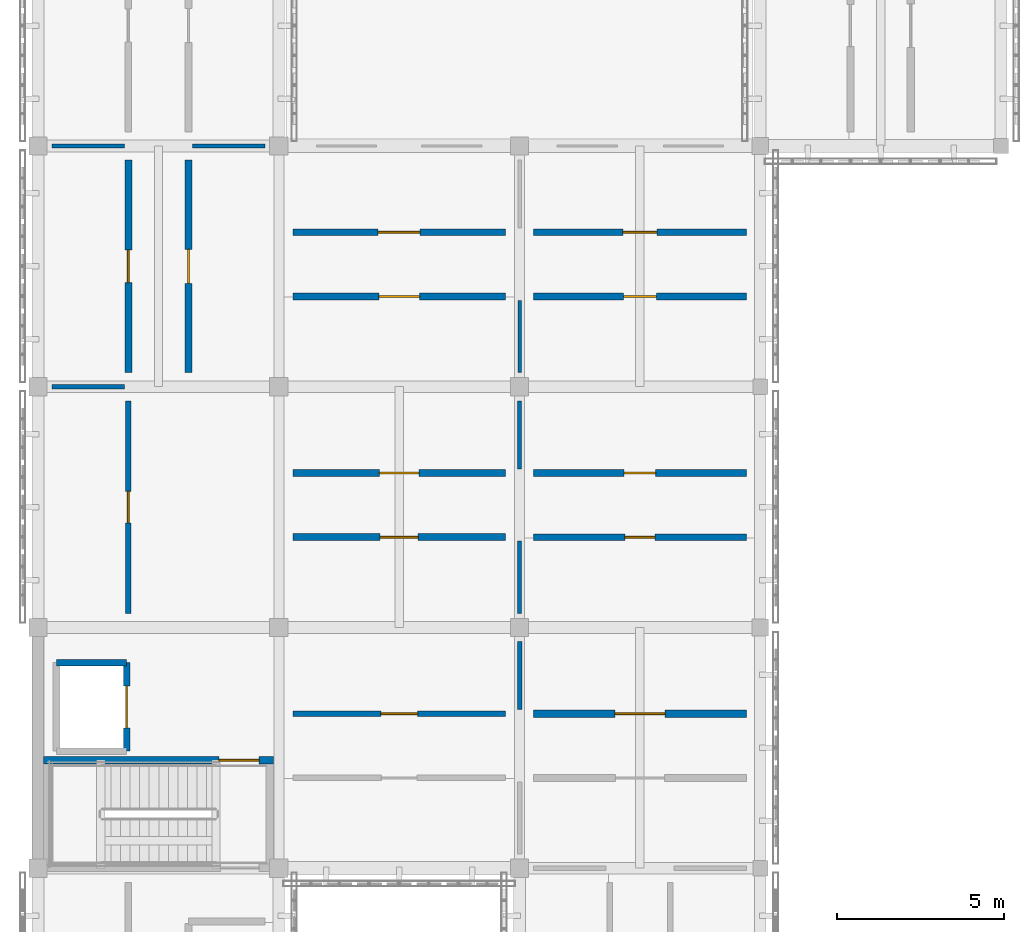
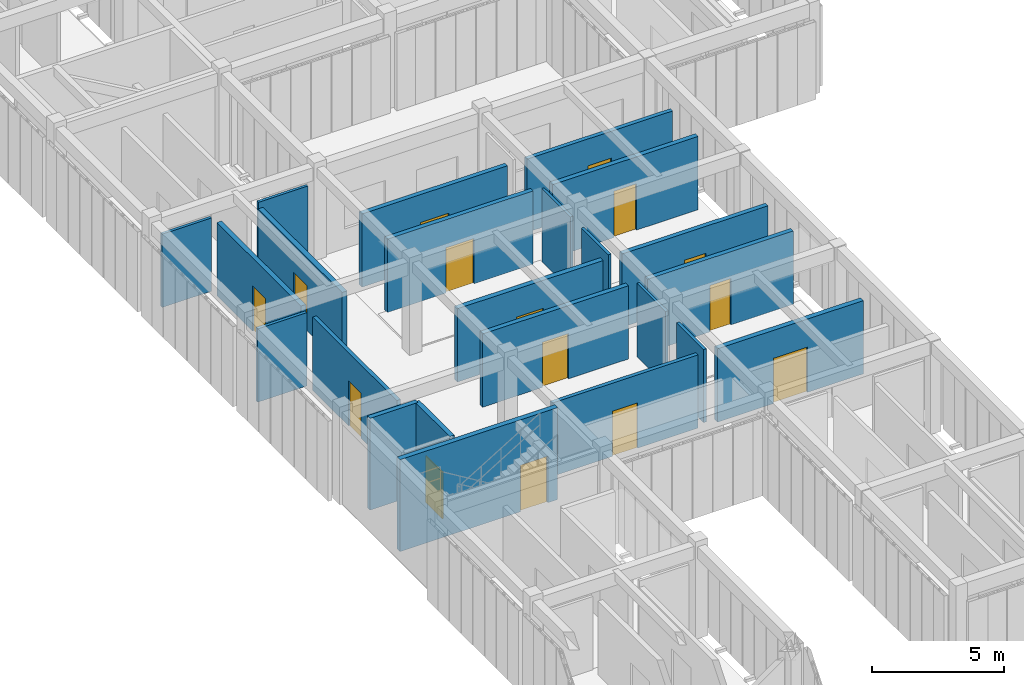
# One storey, part 69 of 91: 23 walls, 15 doors, 15 openings.
"""IFC4 building model written with IfcOpenShell, lengths in metres."""

from ifc_helpers import new_model, si_unit, direction, frame, frame_2d, origin, place, context, subcontext, project, spatial, rectangle, extrude, material, layer, layer_set, type_object, element, fill, save


model = new_model("IFC4")

# Units and contexts
model_context = context("Model", 3, precision=1e-05, world=origin(), true_north=direction((0.0, 1.0)))
body_context = subcontext(model_context, "Body", "Model", "MODEL_VIEW")
ifc_project = project(units=[si_unit("LENGTHUNIT", "METRE"), si_unit("AREAUNIT", "SQUARE_METRE"), si_unit("VOLUMEUNIT", "CUBIC_METRE"), si_unit("PLANEANGLEUNIT", "RADIAN"), si_unit("MASSUNIT", "GRAM", prefix="KILO")], contexts=[model_context])

# Site, building, storey
site_placement = place(None, origin())
site = spatial("IfcSite", under=ifc_project, at=site_placement, CompositionType="ELEMENT")
building_placement = place(site_placement, origin())
building = spatial("IfcBuilding", under=site, at=building_placement, Name="Aldebral Square Health Centre", CompositionType="ELEMENT")
storey_placement = place(building_placement, frame((0.0, 0.0, 9.0)))
storey = spatial("IfcBuildingStorey", under=building, at=storey_placement, Name="L02", CompositionType="ELEMENT", Elevation=9.0)

# Wall, opening, door
ifc_material_1 = material(Name="Concrete C35/45 compartment wall", Category="concrete")
ifc_layer_1 = layer(ifc_material_1, 0.199951171875, Name="Concrete C35/45 compartment wall", Category="concrete")
ifc_layer_set_1 = layer_set([ifc_layer_1], Name="Concrete C35/45 compartment wall")
wall_type_1 = type_object("IfcWallType", Name="IW-CMP-200", PredefinedType="SOLIDWALL", material=ifc_layer_set_1)
wall_1_placement = place(storey_placement, frame((7.6201171875, 45.89990234375, 0.0), z_axis=(0.0, 0.0, 1.0), x_axis=(1.0, 0.0, 0.0)))
wall_1 = element("IfcWall", 1, at=wall_1_placement, inside=storey, type_object=wall_type_1, Name="L02 Community Wellness Classroom 2.7S corridor wall", PredefinedType="SOLIDWALL", context=body_context, shape_type="SweptSolid", body=[
    extrude(rectangle(XDim=6.35986328125, YDim=0.199951171875, at=frame_2d((3.179931640625, 0.0))), origin(), (0.0, 0.0, 1.0), 3.3798828125),
])
opening_1_placement = place(wall_1_placement, frame((2.570068359375, 0.0, 0.0)))
opening_1 = element("IfcOpeningElement", 2, at=opening_1_placement, cuts=wall_1, Name="Opening D-0522", PredefinedType="OPENING", context=body_context, shape_type="SweptSolid", body=[
    extrude(rectangle(XDim=1.219970703125, YDim=2.090087890625, at=frame_2d((0.60986328125, 1.044921875))), frame((0.0, 0.10986328125, 0.0), z_axis=(0.0, -1.0, 0.0), x_axis=(1.0, 0.0, 0.0)), (0.0, 0.0, 1.0), 0.219970703125),
])
ifc_material_2 = material(Name="Clinical suite fire door")
door_type_1 = type_object("IfcDoorType", Name="ID-EXD-24", OperationType="NOTDEFINED", PredefinedType="DOOR", material=ifc_material_2)
door_1_placement = place(opening_1_placement, origin())
door_1 = element("IfcDoor", 3, at=door_1_placement, inside=storey, type_object=door_type_1, Name="L02 Community Wellness Classroom 2.7S door", OperationType="SINGLE_SWING_LEFT", OverallHeight=2.090087890625, OverallWidth=1.219970703125, PredefinedType="DOOR", context=body_context, shape_type="SweptSolid", body=[
    extrude(rectangle(XDim=1.219970703125, YDim=2.090087890625, at=frame_2d((0.60986328125, 1.044921875))), frame((0.0, 0.02490234375, 0.0), z_axis=(0.0, -1.0, 0.0), x_axis=(1.0, 0.0, 0.0)), (0.0, 0.0, 1.0), 0.050048828125),
])
fill(opening_1, door_1)

wall_2_placement = place(storey_placement, frame((7.6201171875, 47.820068359375, 0.0), z_axis=(0.0, 0.0, 1.0), x_axis=(1.0, 0.0, 0.0)))
wall_2 = element("IfcWall", 4, at=wall_2_placement, inside=storey, type_object=wall_type_1, Name="L02 Public Health Library 2.7N corridor wall", PredefinedType="SOLIDWALL", context=body_context, shape_type="SweptSolid", body=[
    extrude(rectangle(XDim=6.35986328125, YDim=0.199951171875, at=frame_2d((3.179931640625, 0.0))), origin(), (0.0, 0.0, 1.0), 3.3798828125),
])
opening_2_placement = place(wall_2_placement, frame((2.550048828125, 0.0, 0.0)))
opening_2 = element("IfcOpeningElement", 5, at=opening_2_placement, cuts=wall_2, Name="Opening D-0523", PredefinedType="OPENING", context=body_context, shape_type="SweptSolid", body=[
    extrude(rectangle(XDim=1.260009765625, YDim=2.090087890625, at=frame_2d((0.6298828125, 1.044921875))), frame((0.0, 0.10986328125, 0.0), z_axis=(0.0, -1.0, 0.0), x_axis=(1.0, 0.0, 0.0)), (0.0, 0.0, 1.0), 0.219970703125),
])
door_type_2 = type_object("IfcDoorType", Name="ID-EXD-25", OperationType="NOTDEFINED", PredefinedType="DOOR", material=ifc_material_2)
door_2_placement = place(opening_2_placement, origin())
door_2 = element("IfcDoor", 6, at=door_2_placement, inside=storey, type_object=door_type_2, Name="L02 Public Health Library 2.7N door", OperationType="SINGLE_SWING_RIGHT", OverallHeight=2.090087890625, OverallWidth=1.260009765625, PredefinedType="DOOR", context=body_context, shape_type="SweptSolid", body=[
    extrude(rectangle(XDim=1.260009765625, YDim=2.090087890625, at=frame_2d((0.6298828125, 1.044921875))), frame((0.0, 0.02490234375, 0.0), z_axis=(0.0, -1.0, 0.0), x_axis=(1.0, 0.0, 0.0)), (0.0, 0.0, 1.0), 0.050048828125),
])
fill(opening_2, door_2)

wall_3_placement = place(storey_placement, frame((14.820068359375, 38.699951171875, 0.0), z_axis=(0.0, 0.0, 1.0), x_axis=(1.0, 0.0, 0.0)))
wall_3 = element("IfcWall", 7, at=wall_3_placement, inside=storey, type_object=wall_type_1, Name="L02 Community Wellness Classroom 3.6S corridor wall", PredefinedType="SOLIDWALL", context=body_context, shape_type="SweptSolid", body=[
    extrude(rectangle(XDim=6.35986328125, YDim=0.199951171875, at=frame_2d((3.179931640625, 0.0))), origin(), (0.0, 0.0, 1.0), 3.3798828125),
])
opening_3_placement = place(wall_3_placement, frame((2.72998046875, 0.0, 0.0)))
opening_3 = element("IfcOpeningElement", 8, at=opening_3_placement, cuts=wall_3, Name="Opening D-0530", PredefinedType="OPENING", context=body_context, shape_type="SweptSolid", body=[
    extrude(rectangle(XDim=0.89990234375, YDim=2.139892578125, at=frame_2d((0.449951171875, 1.06982421875))), frame((0.0, 0.10986328125, 0.0), z_axis=(0.0, -1.0, 0.0), x_axis=(1.0, 0.0, 0.0)), (0.0, 0.0, 1.0), 0.219970703125),
])
door_type_3 = type_object("IfcDoorType", Name="ID-EXD-32", OperationType="NOTDEFINED", PredefinedType="DOOR", material=ifc_material_2)
door_3_placement = place(opening_3_placement, origin())
door_3 = element("IfcDoor", 9, at=door_3_placement, inside=storey, type_object=door_type_3, Name="L02 Community Wellness Classroom 3.6S door", OperationType="SINGLE_SWING_LEFT", OverallHeight=2.139892578125, OverallWidth=0.89990234375, PredefinedType="DOOR", context=body_context, shape_type="SweptSolid", body=[
    extrude(rectangle(XDim=0.89990234375, YDim=2.139892578125, at=frame_2d((0.449951171875, 1.06982421875))), frame((0.0, 0.02490234375, 0.0), z_axis=(0.0, -1.0, 0.0), x_axis=(1.0, 0.0, 0.0)), (0.0, 0.0, 1.0), 0.050048828125),
])
fill(opening_3, door_3)

wall_4_placement = place(storey_placement, frame((14.820068359375, 40.6201171875, 0.0), z_axis=(0.0, 0.0, 1.0), x_axis=(1.0, 0.0, 0.0)))
wall_4 = element("IfcWall", 10, at=wall_4_placement, inside=storey, type_object=wall_type_1, Name="L02 Public Health Library 3.6N corridor wall", PredefinedType="SOLIDWALL", context=body_context, shape_type="SweptSolid", body=[
    extrude(rectangle(XDim=6.35986328125, YDim=0.199951171875, at=frame_2d((3.179931640625, 0.0))), origin(), (0.0, 0.0, 1.0), 3.3798828125),
])
opening_4_placement = place(wall_4_placement, frame((2.7099609375, 0.0, 0.0)))
opening_4 = element("IfcOpeningElement", 11, at=opening_4_placement, cuts=wall_4, Name="Opening D-0531", PredefinedType="OPENING", context=body_context, shape_type="SweptSolid", body=[
    extrude(rectangle(XDim=0.93994140625, YDim=2.139892578125, at=frame_2d((0.469970703125, 1.06982421875))), frame((0.0, 0.10986328125, 0.0), z_axis=(0.0, -1.0, 0.0), x_axis=(1.0, 0.0, 0.0)), (0.0, 0.0, 1.0), 0.219970703125),
])
door_type_4 = type_object("IfcDoorType", Name="ID-EXD-33", OperationType="NOTDEFINED", PredefinedType="DOOR", material=ifc_material_2)
door_4_placement = place(opening_4_placement, origin())
door_4 = element("IfcDoor", 12, at=door_4_placement, inside=storey, type_object=door_type_4, Name="L02 Public Health Library 3.6N door", OperationType="SINGLE_SWING_RIGHT", OverallHeight=2.139892578125, OverallWidth=0.93994140625, PredefinedType="DOOR", context=body_context, shape_type="SweptSolid", body=[
    extrude(rectangle(XDim=0.93994140625, YDim=2.139892578125, at=frame_2d((0.469970703125, 1.06982421875))), frame((0.0, 0.02490234375, 0.0), z_axis=(0.0, -1.0, 0.0), x_axis=(1.0, 0.0, 0.0)), (0.0, 0.0, 1.0), 0.050048828125),
])
fill(opening_4, door_4)

ifc_layer_2 = layer(ifc_material_1, 0.219970703125, Name="Concrete C35/45 compartment wall", Category="concrete")
ifc_layer_set_2 = layer_set([ifc_layer_2], Name="Concrete C35/45 compartment wall")
wall_type_2 = type_object("IfcWallType", Name="IW-CMP-220", PredefinedType="SOLIDWALL", material=ifc_layer_set_2)
wall_5_placement = place(storey_placement, frame((4.5, 43.6201171875, 0.0), z_axis=(0.0, 0.0, 1.0), x_axis=(0.0, 1.0, 0.0)))
wall_5 = element("IfcWall", 13, at=wall_5_placement, inside=storey, type_object=wall_type_2, Name="L02 Multipurpose Health Hall 1.7E corridor wall", PredefinedType="SOLIDWALL", context=body_context, shape_type="SweptSolid", body=[
    extrude(rectangle(XDim=6.35986328125, YDim=0.219970703125, at=frame_2d((3.179931640625, 0.0))), origin(), (0.0, 0.0, 1.0), 3.3798828125),
])
opening_5_placement = place(wall_5_placement, frame((2.669921875, 0.0, 0.0)))
opening_5 = element("IfcOpeningElement", 14, at=opening_5_placement, cuts=wall_5, Name="Opening D-0517", PredefinedType="OPENING", context=body_context, shape_type="SweptSolid", body=[
    extrude(rectangle(XDim=1.02001953125, YDim=2.090087890625, at=frame_2d((0.510009765625, 1.044921875))), frame((0.0, 0.1201171875, 0.0), z_axis=(0.0, -1.0, 0.0), x_axis=(1.0, 0.0, 0.0)), (0.0, 0.0, 1.0), 0.239990234375),
])
door_type_5 = type_object("IfcDoorType", Name="ID-EXD-19", OperationType="NOTDEFINED", PredefinedType="DOOR", material=ifc_material_2)
door_5_placement = place(opening_5_placement, origin())
door_5 = element("IfcDoor", 15, at=door_5_placement, inside=storey, type_object=door_type_5, Name="L02 Multipurpose Health Hall 1.7E door", OperationType="SINGLE_SWING_RIGHT", OverallHeight=2.090087890625, OverallWidth=1.02001953125, PredefinedType="DOOR", context=body_context, shape_type="SweptSolid", body=[
    extrude(rectangle(XDim=1.02001953125, YDim=2.090087890625, at=frame_2d((0.510009765625, 1.044921875))), frame((0.0, 0.02490234375, 0.0), z_axis=(0.0, -1.0, 0.0), x_axis=(1.0, 0.0, 0.0)), (0.0, 0.0, 1.0), 0.050048828125),
])
fill(opening_5, door_5)

wall_6_placement = place(storey_placement, frame((7.6201171875, 40.6201171875, 0.0), z_axis=(0.0, 0.0, 1.0), x_axis=(1.0, 0.0, 0.0)))
wall_6 = element("IfcWall", 16, at=wall_6_placement, inside=storey, type_object=wall_type_2, Name="L02 Multipurpose Health Hall 2.6N corridor wall", PredefinedType="SOLIDWALL", context=body_context, shape_type="SweptSolid", body=[
    extrude(rectangle(XDim=6.35986328125, YDim=0.219970703125, at=frame_2d((3.179931640625, 0.0))), origin(), (0.0, 0.0, 1.0), 3.3798828125),
])
opening_6_placement = place(wall_6_placement, frame((2.590087890625, 0.0, 0.0)))
opening_6 = element("IfcOpeningElement", 17, at=opening_6_placement, cuts=wall_6, Name="Opening D-0521", PredefinedType="OPENING", context=body_context, shape_type="SweptSolid", body=[
    extrude(rectangle(XDim=1.179931640625, YDim=2.090087890625, at=frame_2d((0.58984375, 1.044921875))), frame((0.0, 0.1201171875, 0.0), z_axis=(0.0, -1.0, 0.0), x_axis=(1.0, 0.0, 0.0)), (0.0, 0.0, 1.0), 0.239990234375),
])
door_type_6 = type_object("IfcDoorType", Name="ID-EXD-23", OperationType="NOTDEFINED", PredefinedType="DOOR", material=ifc_material_2)
door_6_placement = place(opening_6_placement, origin())
door_6 = element("IfcDoor", 18, at=door_6_placement, inside=storey, type_object=door_type_6, Name="L02 Multipurpose Health Hall 2.6N door", OperationType="SINGLE_SWING_RIGHT", OverallHeight=2.090087890625, OverallWidth=1.179931640625, PredefinedType="DOOR", context=body_context, shape_type="SweptSolid", body=[
    extrude(rectangle(XDim=1.179931640625, YDim=2.090087890625, at=frame_2d((0.58984375, 1.044921875))), frame((0.0, 0.02490234375, 0.0), z_axis=(0.0, -1.0, 0.0), x_axis=(1.0, 0.0, 0.0)), (0.0, 0.0, 1.0), 0.050048828125),
])
fill(opening_6, door_6)

wall_7_placement = place(storey_placement, frame((14.820068359375, 33.419921875, 0.0), z_axis=(0.0, 0.0, 1.0), x_axis=(1.0, 0.0, 0.0)))
wall_7 = element("IfcWall", 19, at=wall_7_placement, inside=storey, type_object=wall_type_2, Name="L02 Multipurpose Health Hall 3.5N corridor wall", PredefinedType="SOLIDWALL", context=body_context, shape_type="SweptSolid", body=[
    extrude(rectangle(XDim=6.35986328125, YDim=0.219970703125, at=frame_2d((3.179931640625, 0.0))), origin(), (0.0, 0.0, 1.0), 3.3798828125),
])
opening_7_placement = place(wall_7_placement, frame((2.429931640625, 0.0, 0.0)))
opening_7 = element("IfcOpeningElement", 20, at=opening_7_placement, cuts=wall_7, Name="Opening D-0529", PredefinedType="OPENING", context=body_context, shape_type="SweptSolid", body=[
    extrude(rectangle(XDim=1.5, YDim=2.090087890625, at=frame_2d((0.75, 1.044921875))), frame((0.0, 0.1201171875, 0.0), z_axis=(0.0, -1.0, 0.0), x_axis=(1.0, 0.0, 0.0)), (0.0, 0.0, 1.0), 0.239990234375),
])
door_type_7 = type_object("IfcDoorType", Name="ID-EXD-31", OperationType="NOTDEFINED", PredefinedType="DOOR", material=ifc_material_2)
door_7_placement = place(opening_7_placement, origin())
door_7 = element("IfcDoor", 21, at=door_7_placement, inside=storey, type_object=door_type_7, Name="L02 Multipurpose Health Hall 3.5N door", OperationType="SINGLE_SWING_RIGHT", OverallHeight=2.090087890625, OverallWidth=1.5, PredefinedType="DOOR", context=body_context, shape_type="SweptSolid", body=[
    extrude(rectangle(XDim=1.5, YDim=2.090087890625, at=frame_2d((0.75, 1.044921875))), frame((0.0, 0.02490234375, 0.0), z_axis=(0.0, -1.0, 0.0), x_axis=(1.0, 0.0, 0.0)), (0.0, 0.0, 1.0), 0.050048828125),
])
fill(opening_7, door_7)

ifc_material_3 = material(Name="Fire-rated acoustic gypsum partition")
ifc_layer_3 = layer(ifc_material_3, 0.1650390625, Name="Fire-rated acoustic gypsum partition")
ifc_layer_set_3 = layer_set([ifc_layer_3], Name="Fire-rated acoustic gypsum partition")
wall_type_3 = type_object("IfcWallType", Name="IW-COR-165", PredefinedType="PARTITIONING", material=ifc_layer_set_3)
wall_8_placement = place(storey_placement, frame((2.699951171875, 36.419921875, 0.0), z_axis=(0.0, 0.0, 1.0), x_axis=(0.0, 1.0, 0.0)))
wall_8 = element("IfcWall", 22, at=wall_8_placement, inside=storey, type_object=wall_type_3, Name="L02 Public Health Library 1.6W corridor wall", PredefinedType="PARTITIONING", context=body_context, shape_type="SweptSolid", body=[
    extrude(rectangle(XDim=6.360107421875, YDim=0.1650390625, at=frame_2d((3.18017578125, 0.0))), origin(), (0.0, 0.0, 1.0), 3.3798828125),
])
opening_8_placement = place(wall_8_placement, frame((2.7099609375, 0.0, 0.0)))
opening_8 = element("IfcOpeningElement", 23, at=opening_8_placement, cuts=wall_8, Name="Opening D-0515", PredefinedType="OPENING", context=body_context, shape_type="SweptSolid", body=[
    extrude(rectangle(XDim=0.93994140625, YDim=2.090087890625, at=frame_2d((0.469970703125, 1.044921875))), frame((0.0, 0.092529296875, 0.0), z_axis=(0.0, -1.0, 0.0), x_axis=(1.0, 0.0, 0.0)), (0.0, 0.0, 1.0), 0.18505859375),
])
door_type_8 = type_object("IfcDoorType", Name="ID-EXD-17", OperationType="NOTDEFINED", PredefinedType="DOOR", material=ifc_material_2)
door_8_placement = place(opening_8_placement, origin())
door_8 = element("IfcDoor", 24, at=door_8_placement, inside=storey, type_object=door_type_8, Name="L02 Public Health Library 1.6W door", OperationType="SINGLE_SWING_RIGHT", OverallHeight=2.090087890625, OverallWidth=0.93994140625, PredefinedType="DOOR", context=body_context, shape_type="SweptSolid", body=[
    extrude(rectangle(XDim=0.93994140625, YDim=2.090087890625, at=frame_2d((0.469970703125, 1.044921875))), frame((0.0, 0.02490234375, 0.0), z_axis=(0.0, -1.0, 0.0), x_axis=(1.0, 0.0, 0.0)), (0.0, 0.0, 1.0), 0.050048828125),
])
fill(opening_8, door_8)

wall_9_placement = place(storey_placement, frame((7.6201171875, 33.419921875, 0.0), z_axis=(0.0, 0.0, 1.0), x_axis=(1.0, 0.0, 0.0)))
wall_9 = element("IfcWall", 25, at=wall_9_placement, inside=storey, type_object=wall_type_3, Name="L02 Public Health Library 2.5N corridor wall", PredefinedType="PARTITIONING", context=body_context, shape_type="SweptSolid", body=[
    extrude(rectangle(XDim=6.35986328125, YDim=0.1650390625, at=frame_2d((3.179931640625, 0.0))), origin(), (0.0, 0.0, 1.0), 3.3798828125),
])
opening_9_placement = place(wall_9_placement, frame((2.6298828125, 0.0, 0.0)))
opening_9 = element("IfcOpeningElement", 26, at=opening_9_placement, cuts=wall_9, Name="Opening D-0519", PredefinedType="OPENING", context=body_context, shape_type="SweptSolid", body=[
    extrude(rectangle(XDim=1.10009765625, YDim=2.090087890625, at=frame_2d((0.550048828125, 1.044921875))), frame((0.0, 0.092529296875, 0.0), z_axis=(0.0, -1.0, 0.0), x_axis=(1.0, 0.0, 0.0)), (0.0, 0.0, 1.0), 0.18505859375),
])
door_type_9 = type_object("IfcDoorType", Name="ID-EXD-21", OperationType="NOTDEFINED", PredefinedType="DOOR", material=ifc_material_2)
door_9_placement = place(opening_9_placement, origin())
door_9 = element("IfcDoor", 27, at=door_9_placement, inside=storey, type_object=door_type_9, Name="L02 Public Health Library 2.5N door", OperationType="SINGLE_SWING_RIGHT", OverallHeight=2.090087890625, OverallWidth=1.10009765625, PredefinedType="DOOR", context=body_context, shape_type="SweptSolid", body=[
    extrude(rectangle(XDim=1.10009765625, YDim=2.090087890625, at=frame_2d((0.550048828125, 1.044921875))), frame((0.0, 0.02490234375, 0.0), z_axis=(0.0, -1.0, 0.0), x_axis=(1.0, 0.0, 0.0)), (0.0, 0.0, 1.0), 0.050048828125),
])
fill(opening_9, door_9)

ifc_layer_4 = layer(ifc_material_3, 0.179931640625, Name="Fire-rated acoustic gypsum partition")
ifc_layer_set_4 = layer_set([ifc_layer_4], Name="Fire-rated acoustic gypsum partition")
wall_type_4 = type_object("IfcWallType", Name="IW-COR-180", PredefinedType="PARTITIONING", material=ifc_layer_set_4)
wall_10_placement = place(storey_placement, frame((14.820068359375, 47.820068359375, 0.0), z_axis=(0.0, 0.0, 1.0), x_axis=(1.0, 0.0, 0.0)))
wall_10 = element("IfcWall", 28, at=wall_10_placement, inside=storey, type_object=wall_type_4, Name="L02 Multipurpose Health Hall 3.7N corridor wall", PredefinedType="PARTITIONING", context=body_context, shape_type="SweptSolid", body=[
    extrude(rectangle(XDim=6.35986328125, YDim=0.179931640625, at=frame_2d((3.179931640625, 0.0))), origin(), (0.0, 0.0, 1.0), 3.3798828125),
])
opening_10_placement = place(wall_10_placement, frame((2.669921875, 0.0, 0.0)))
opening_10 = element("IfcOpeningElement", 29, at=opening_10_placement, cuts=wall_10, Name="Opening D-0533", PredefinedType="OPENING", context=body_context, shape_type="SweptSolid", body=[
    extrude(rectangle(XDim=1.02001953125, YDim=2.139892578125, at=frame_2d((0.510009765625, 1.06982421875))), frame((0.0, 0.10009765625, 0.0), z_axis=(0.0, -1.0, 0.0), x_axis=(1.0, 0.0, 0.0)), (0.0, 0.0, 1.0), 0.199951171875),
])
door_type_10 = type_object("IfcDoorType", Name="ID-EXD-35", OperationType="NOTDEFINED", PredefinedType="DOOR", material=ifc_material_2)
door_10_placement = place(opening_10_placement, origin())
door_10 = element("IfcDoor", 30, at=door_10_placement, inside=storey, type_object=door_type_10, Name="L02 Multipurpose Health Hall 3.7N door", OperationType="SINGLE_SWING_RIGHT", OverallHeight=2.139892578125, OverallWidth=1.02001953125, PredefinedType="DOOR", context=body_context, shape_type="SweptSolid", body=[
    extrude(rectangle(XDim=1.02001953125, YDim=2.139892578125, at=frame_2d((0.510009765625, 1.06982421875))), frame((0.0, 0.02490234375, 0.0), z_axis=(0.0, -1.0, 0.0), x_axis=(1.0, 0.0, 0.0)), (0.0, 0.0, 1.0), 0.050048828125),
])
fill(opening_10, door_10)

ifc_material_4 = material(Name="Concrete C40/50", Category="concrete")
ifc_layer_5 = layer(ifc_material_4, 0.219970703125, Name="Concrete C40/50", Category="concrete")
ifc_layer_set_5 = layer_set([ifc_layer_5], Name="Concrete C40/50")
wall_type_5 = type_object("IfcWallType", Name="IW-CORE-280", PredefinedType="SHEAR", material=ifc_layer_set_5)
wall_11_placement = place(storey_placement, frame((0.159912109375, 32.030029296875, 0.0), z_axis=(0.0, 0.0, 1.0), x_axis=(1.0, 0.0, 0.0)))
wall_11 = element("IfcWall", 31, at=wall_11_placement, inside=storey, type_object=wall_type_5, Name="L02 WC-C5 shaft wall N", PredefinedType="SHEAR", context=body_context, shape_type="SweptSolid", body=[
    extrude(rectangle(XDim=6.880126953125, YDim=0.219970703125, at=frame_2d((3.43994140625, 0.0))), origin(), (0.0, 0.0, 1.0), 4.239990234375),
])
opening_11_placement = place(wall_11_placement, frame((5.25, 0.0, 0.0)))
opening_11 = element("IfcOpeningElement", 32, at=opening_11_placement, cuts=wall_11, Name="Opening D-0059", PredefinedType="OPENING", context=body_context, shape_type="SweptSolid", body=[
    extrude(rectangle(XDim=1.199951171875, YDim=2.14990234375, at=frame_2d((0.60009765625, 1.074951171875))), frame((0.0, 0.1201171875, 0.0), z_axis=(0.0, -1.0, 0.0), x_axis=(1.0, 0.0, 0.0)), (0.0, 0.0, 1.0), 0.239990234375),
])
ifc_material_5 = material(Name="Fire-rated steel stair door", Category="steel")
door_type_11 = type_object("IfcDoorType", Name="ID-ST-120", OperationType="NOTDEFINED", PredefinedType="DOOR", material=ifc_material_5)
door_11_placement = place(opening_11_placement, origin())
door_11 = element("IfcDoor", 33, at=door_11_placement, inside=storey, type_object=door_type_11, Name="L02 ST-05 fire door", OperationType="SINGLE_SWING_LEFT", OverallHeight=2.14990234375, OverallWidth=1.199951171875, PredefinedType="DOOR", context=body_context, shape_type="SweptSolid", body=[
    extrude(rectangle(XDim=1.199951171875, YDim=2.14990234375, at=frame_2d((0.60009765625, 1.074951171875))), frame((0.0, 0.02490234375, 0.0), z_axis=(0.0, -1.0, 0.0), x_axis=(1.0, 0.0, 0.0)), (0.0, 0.0, 1.0), 0.050048828125),
])
fill(opening_11, door_11)

# Wall
ifc_layer_6 = layer(ifc_material_4, 0.199951171875, Name="Concrete C40/50", Category="concrete")
ifc_layer_set_6 = layer_set([ifc_layer_6], Name="Concrete C40/50")
wall_type_6 = type_object("IfcWallType", Name="IW-LFT-250", PredefinedType="SHEAR", material=ifc_layer_set_6)
wall_12_placement = place(storey_placement, frame((0.550048828125, 34.949951171875, 0.0), z_axis=(0.0, 0.0, 1.0), x_axis=(1.0, 0.0, 0.0)))
element("IfcWall", 34, at=wall_12_placement, inside=storey, type_object=wall_type_6, Name="L02 LF-05 shaft wall N", PredefinedType="SHEAR", context=body_context, shape_type="SweptSolid", body=[
    extrude(rectangle(XDim=2.099853515625, YDim=0.199951171875, at=frame_2d((1.0498046875, 0.0))), origin(), (0.0, 0.0, 1.0), 4.239990234375),
])

# Wall, opening, door
wall_13_placement = place(storey_placement, frame((2.64990234375, 32.300048828125, 0.0), z_axis=(0.0, 0.0, 1.0), x_axis=(0.0, 1.0, 0.0)))
wall_13 = element("IfcWall", 35, at=wall_13_placement, inside=storey, type_object=wall_type_6, Name="L02 LF-05 landing wall", PredefinedType="SHEAR", context=body_context, shape_type="SweptSolid", body=[
    extrude(rectangle(XDim=2.64990234375, YDim=0.199951171875, at=frame_2d((1.324951171875, 0.0))), origin(), (0.0, 0.0, 1.0), 4.239990234375),
])
opening_12_placement = place(wall_13_placement, frame((0.699951171875, 0.0, 0.0)))
opening_12 = element("IfcOpeningElement", 36, at=opening_12_placement, cuts=wall_13, Name="Opening D-0061", PredefinedType="OPENING", context=body_context, shape_type="SweptSolid", body=[
    extrude(rectangle(XDim=1.25, YDim=2.14990234375, at=frame_2d((0.625, 1.074951171875))), frame((0.0, 0.10986328125, 0.0), z_axis=(0.0, -1.0, 0.0), x_axis=(1.0, 0.0, 0.0)), (0.0, 0.0, 1.0), 0.219970703125),
])
ifc_material_6 = material(Name="Stainless steel surgical lift landing door", Category="steel")
door_type_12 = type_object("IfcDoorType", Name="ID-LD-125", OperationType="SLIDING_TO_LEFT", PredefinedType="DOOR", material=ifc_material_6)
door_12_placement = place(opening_12_placement, origin())
door_12 = element("IfcDoor", 37, at=door_12_placement, inside=storey, type_object=door_type_12, Name="L02 LF-05 sliding landing door", OperationType="SLIDING_TO_LEFT", OverallHeight=2.14990234375, OverallWidth=1.25, PredefinedType="DOOR", context=body_context, shape_type="SweptSolid", body=[
    extrude(rectangle(XDim=1.25, YDim=2.14990234375, at=frame_2d((0.625, 1.074951171875))), frame((0.0, 0.02490234375, 0.0), z_axis=(0.0, -1.0, 0.0), x_axis=(1.0, 0.0, 0.0)), (0.0, 0.0, 1.0), 0.050048828125),
])
fill(opening_12, door_12)

ifc_material_7 = material(Name="Moisture-resistant sanitary chase wall")
ifc_layer_7 = layer(ifc_material_7, 0.2099609375, Name="Moisture-resistant sanitary chase wall")
ifc_layer_set_7 = layer_set([ifc_layer_7], Name="Moisture-resistant sanitary chase wall")
wall_type_7 = type_object("IfcWallType", Name="IW-PLB-210", PredefinedType="PLUMBINGWALL", material=ifc_layer_set_7)
wall_14_placement = place(storey_placement, frame((2.699951171875, 43.6201171875, 0.0), z_axis=(0.0, 0.0, 1.0), x_axis=(0.0, 1.0, 0.0)))
wall_14 = element("IfcWall", 38, at=wall_14_placement, inside=storey, type_object=wall_type_7, Name="L02 Accessible WC 1.7W corridor wall", PredefinedType="PLUMBINGWALL", context=body_context, shape_type="SweptSolid", body=[
    extrude(rectangle(XDim=6.35986328125, YDim=0.2099609375, at=frame_2d((3.179931640625, 0.0))), origin(), (0.0, 0.0, 1.0), 3.3798828125),
])
opening_13_placement = place(wall_14_placement, frame((2.68994140625, 0.0, 0.0)))
opening_13 = element("IfcOpeningElement", 39, at=opening_13_placement, cuts=wall_14, Name="Opening D-0516", PredefinedType="OPENING", context=body_context, shape_type="SweptSolid", body=[
    extrude(rectangle(XDim=0.97998046875, YDim=2.090087890625, at=frame_2d((0.489990234375, 1.044921875))), frame((0.0, 0.114990234375, 0.0), z_axis=(0.0, -1.0, 0.0), x_axis=(1.0, 0.0, 0.0)), (0.0, 0.0, 1.0), 0.22998046875),
])
door_type_13 = type_object("IfcDoorType", Name="ID-EXD-18", OperationType="NOTDEFINED", PredefinedType="DOOR", material=ifc_material_2)
door_13_placement = place(opening_13_placement, origin())
door_13 = element("IfcDoor", 40, at=door_13_placement, inside=storey, type_object=door_type_13, Name="L02 Accessible WC 1.7W door", OperationType="SINGLE_SWING_LEFT", OverallHeight=2.090087890625, OverallWidth=0.97998046875, PredefinedType="DOOR", context=body_context, shape_type="SweptSolid", body=[
    extrude(rectangle(XDim=0.97998046875, YDim=2.090087890625, at=frame_2d((0.489990234375, 1.044921875))), frame((0.0, 0.02490234375, 0.0), z_axis=(0.0, -1.0, 0.0), x_axis=(1.0, 0.0, 0.0)), (0.0, 0.0, 1.0), 0.050048828125),
])
fill(opening_13, door_13)

wall_15_placement = place(storey_placement, frame((7.6201171875, 38.699951171875, 0.0), z_axis=(0.0, 0.0, 1.0), x_axis=(1.0, 0.0, 0.0)))
wall_15 = element("IfcWall", 41, at=wall_15_placement, inside=storey, type_object=wall_type_7, Name="L02 Accessible WC 2.6S corridor wall", PredefinedType="PLUMBINGWALL", context=body_context, shape_type="SweptSolid", body=[
    extrude(rectangle(XDim=6.35986328125, YDim=0.2099609375, at=frame_2d((3.179931640625, 0.0))), origin(), (0.0, 0.0, 1.0), 3.3798828125),
])
opening_14_placement = place(wall_15_placement, frame((2.610107421875, 0.0, 0.0)))
opening_14 = element("IfcOpeningElement", 42, at=opening_14_placement, cuts=wall_15, Name="Opening D-0520", PredefinedType="OPENING", context=body_context, shape_type="SweptSolid", body=[
    extrude(rectangle(XDim=1.139892578125, YDim=2.090087890625, at=frame_2d((0.56982421875, 1.044921875))), frame((0.0, 0.114990234375, 0.0), z_axis=(0.0, -1.0, 0.0), x_axis=(1.0, 0.0, 0.0)), (0.0, 0.0, 1.0), 0.22998046875),
])
door_type_14 = type_object("IfcDoorType", Name="ID-EXD-22", OperationType="NOTDEFINED", PredefinedType="DOOR", material=ifc_material_2)
door_14_placement = place(opening_14_placement, origin())
door_14 = element("IfcDoor", 43, at=door_14_placement, inside=storey, type_object=door_type_14, Name="L02 Accessible WC 2.6S door", OperationType="SINGLE_SWING_LEFT", OverallHeight=2.090087890625, OverallWidth=1.139892578125, PredefinedType="DOOR", context=body_context, shape_type="SweptSolid", body=[
    extrude(rectangle(XDim=1.139892578125, YDim=2.090087890625, at=frame_2d((0.56982421875, 1.044921875))), frame((0.0, 0.02490234375, 0.0), z_axis=(0.0, -1.0, 0.0), x_axis=(1.0, 0.0, 0.0)), (0.0, 0.0, 1.0), 0.050048828125),
])
fill(opening_14, door_14)

wall_16_placement = place(storey_placement, frame((14.820068359375, 45.89990234375, 0.0), z_axis=(0.0, 0.0, 1.0), x_axis=(1.0, 0.0, 0.0)))
wall_16 = element("IfcWall", 44, at=wall_16_placement, inside=storey, type_object=wall_type_7, Name="L02 Accessible WC 3.7S corridor wall", PredefinedType="PLUMBINGWALL", context=body_context, shape_type="SweptSolid", body=[
    extrude(rectangle(XDim=6.35986328125, YDim=0.2099609375, at=frame_2d((3.179931640625, 0.0))), origin(), (0.0, 0.0, 1.0), 3.3798828125),
])
opening_15_placement = place(wall_16_placement, frame((2.68994140625, 0.0, 0.0)))
opening_15 = element("IfcOpeningElement", 45, at=opening_15_placement, cuts=wall_16, Name="Opening D-0532", PredefinedType="OPENING", context=body_context, shape_type="SweptSolid", body=[
    extrude(rectangle(XDim=0.97998046875, YDim=2.139892578125, at=frame_2d((0.489990234375, 1.06982421875))), frame((0.0, 0.114990234375, 0.0), z_axis=(0.0, -1.0, 0.0), x_axis=(1.0, 0.0, 0.0)), (0.0, 0.0, 1.0), 0.22998046875),
])
door_type_15 = type_object("IfcDoorType", Name="ID-EXD-34", OperationType="NOTDEFINED", PredefinedType="DOOR", material=ifc_material_2)
door_15_placement = place(opening_15_placement, origin())
door_15 = element("IfcDoor", 46, at=door_15_placement, inside=storey, type_object=door_type_15, Name="L02 Accessible WC 3.7S door", OperationType="SINGLE_SWING_LEFT", OverallHeight=2.139892578125, OverallWidth=0.97998046875, PredefinedType="DOOR", context=body_context, shape_type="SweptSolid", body=[
    extrude(rectangle(XDim=0.97998046875, YDim=2.139892578125, at=frame_2d((0.489990234375, 1.06982421875))), frame((0.0, 0.02490234375, 0.0), z_axis=(0.0, -1.0, 0.0), x_axis=(1.0, 0.0, 0.0)), (0.0, 0.0, 1.0), 0.050048828125),
])
fill(opening_15, door_15)

# Walls
ifc_material_8 = material(Name="Lightweight clinical partition")
ifc_layer_8 = layer(ifc_material_8, 0.10498046875, Name="Lightweight clinical partition")
ifc_layer_set_8 = layer_set([ifc_layer_8], Name="Lightweight clinical partition")
wall_type_8 = type_object("IfcWallType", Name="IW-PRT-105", PredefinedType="PARTITIONING", material=ifc_layer_set_8)
wall_17_placement = place(storey_placement, frame((14.39990234375, 43.6201171875, 0.0), z_axis=(0.0, 0.0, 1.0), x_axis=(0.0, 1.0, 0.0)))
element("IfcWall", 47, at=wall_17_placement, inside=storey, type_object=wall_type_8, Name="L02 Community Wellness Classroom 2.7S demising partition", PredefinedType="PARTITIONING", context=body_context, shape_type="SweptSolid", body=[
    extrude(rectangle(XDim=2.159912109375, YDim=0.10498046875, at=frame_2d((1.080078125, 0.0))), origin(), (0.0, 0.0, 1.0), 3.3798828125),
])
ifc_material_9 = material(Name="Acoustic clinical gypsum partition")
ifc_layer_9 = layer(ifc_material_9, 0.1201171875, Name="Acoustic clinical gypsum partition")
ifc_layer_set_9 = layer_set([ifc_layer_9], Name="Acoustic clinical gypsum partition")
wall_type_9 = type_object("IfcWallType", Name="IW-PRT-120", PredefinedType="PARTITIONING", material=ifc_layer_set_9)
wall_18_placement = place(storey_placement, frame((0.419921875, 50.39990234375, 0.0), z_axis=(0.0, 0.0, 1.0), x_axis=(1.0, 0.0, 0.0)))
element("IfcWall", 48, at=wall_18_placement, inside=storey, type_object=wall_type_9, Name="L02 Accessible WC 1.7W demising partition", PredefinedType="PARTITIONING", context=body_context, shape_type="SweptSolid", body=[
    extrude(rectangle(XDim=2.16015625, YDim=0.1201171875, at=frame_2d((1.080078125, 0.0))), origin(), (0.0, 0.0, 1.0), 3.3798828125),
])
wall_19_placement = place(storey_placement, frame((4.6201171875, 50.39990234375, 0.0), z_axis=(0.0, 0.0, 1.0), x_axis=(1.0, 0.0, 0.0)))
element("IfcWall", 49, at=wall_19_placement, inside=storey, type_object=wall_type_9, Name="L02 Multipurpose Health Hall 1.7E demising partition", PredefinedType="PARTITIONING", context=body_context, shape_type="SweptSolid", body=[
    extrude(rectangle(XDim=2.159912109375, YDim=0.1201171875, at=frame_2d((1.080078125, 0.0))), origin(), (0.0, 0.0, 1.0), 3.3798828125),
])
wall_20_placement = place(storey_placement, frame((14.39990234375, 36.419921875, 0.0), z_axis=(0.0, 0.0, 1.0), x_axis=(0.0, 1.0, 0.0)))
element("IfcWall", 50, at=wall_20_placement, inside=storey, type_object=wall_type_9, Name="L02 Accessible WC 2.6S demising partition", PredefinedType="PARTITIONING", context=body_context, shape_type="SweptSolid", body=[
    extrude(rectangle(XDim=2.16015625, YDim=0.1201171875, at=frame_2d((1.080078125, 0.0))), origin(), (0.0, 0.0, 1.0), 3.3798828125),
])
wall_21_placement = place(storey_placement, frame((14.39990234375, 40.739990234375, 0.0), z_axis=(0.0, 0.0, 1.0), x_axis=(0.0, 1.0, 0.0)))
element("IfcWall", 51, at=wall_21_placement, inside=storey, type_object=wall_type_9, Name="L02 Multipurpose Health Hall 2.6N demising partition", PredefinedType="PARTITIONING", context=body_context, shape_type="SweptSolid", body=[
    extrude(rectangle(XDim=2.0400390625, YDim=0.1201171875, at=frame_2d((1.02001953125, 0.0))), origin(), (0.0, 0.0, 1.0), 3.3798828125),
])
ifc_layer_10 = layer(ifc_material_9, 0.135009765625, Name="Acoustic clinical gypsum partition")
ifc_layer_set_10 = layer_set([ifc_layer_10], Name="Acoustic clinical gypsum partition")
wall_type_10 = type_object("IfcWallType", Name="IW-PRT-135", PredefinedType="PARTITIONING", material=ifc_layer_set_10)
wall_22_placement = place(storey_placement, frame((0.419921875, 43.199951171875, 0.0), z_axis=(0.0, 0.0, 1.0), x_axis=(1.0, 0.0, 0.0)))
element("IfcWall", 52, at=wall_22_placement, inside=storey, type_object=wall_type_10, Name="L02 Public Health Library 1.6W demising partition", PredefinedType="PARTITIONING", context=body_context, shape_type="SweptSolid", body=[
    extrude(rectangle(XDim=2.16015625, YDim=0.135009765625, at=frame_2d((1.080078125, 0.0))), origin(), (0.0, 0.0, 1.0), 3.3798828125),
])
wall_23_placement = place(storey_placement, frame((14.39990234375, 33.5400390625, 0.0), z_axis=(0.0, 0.0, 1.0), x_axis=(0.0, 1.0, 0.0)))
element("IfcWall", 53, at=wall_23_placement, inside=storey, type_object=wall_type_10, Name="L02 Public Health Library 2.5N demising partition", PredefinedType="PARTITIONING", context=body_context, shape_type="SweptSolid", body=[
    extrude(rectangle(XDim=2.0400390625, YDim=0.135009765625, at=frame_2d((1.02001953125, 0.0))), origin(), (0.0, 0.0, 1.0), 3.3798828125),
])

save(model, "model.ifc")
